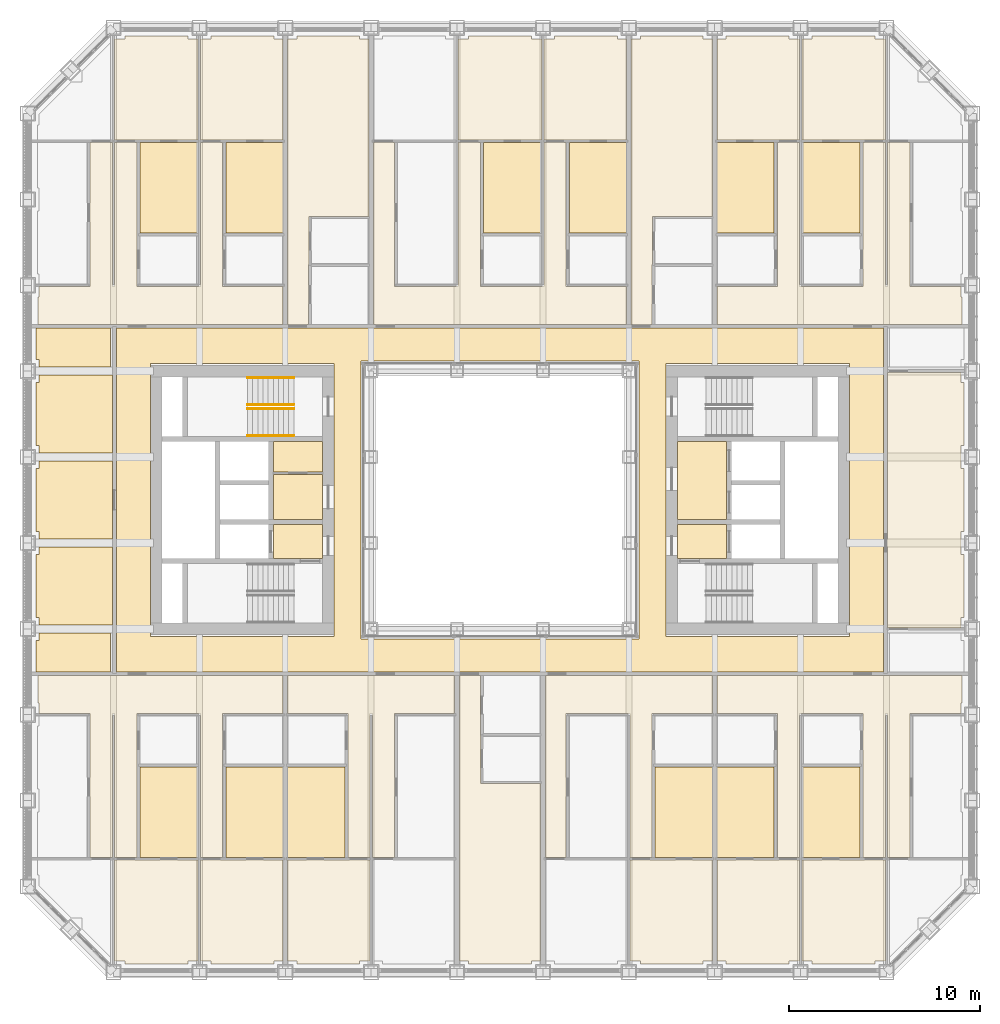
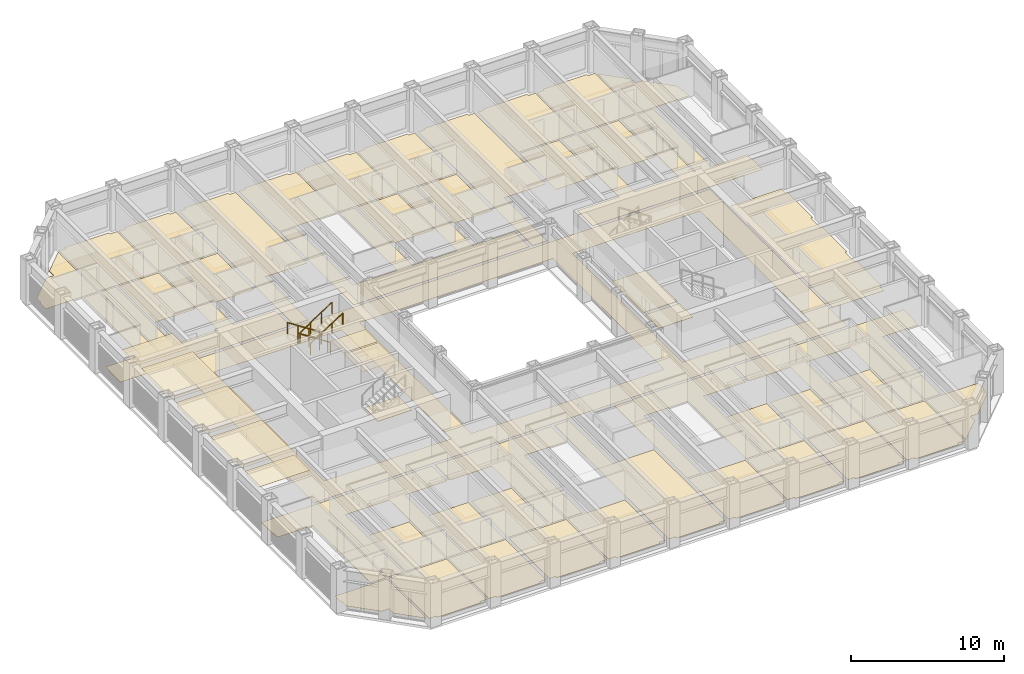
# One storey, part 17 of 20: 4 coverings, 4 railings.
"""IFC4 building model written with IfcOpenShell, lengths in metres."""

from ifc_helpers import new_model, si_unit, direction, frame, origin, origin_2d, place, context, subcontext, project, spatial, line, indexed_curve, circle, outline, extrude, material, layer, layer_set, type_object, element, save


model = new_model("IFC4")

# Units and contexts
model_context = context("Model", 3, precision=1e-05, world=origin(), true_north=direction((0.0, 1.0)))
body_context = subcontext(model_context, "Body", "Model", "MODEL_VIEW")
ifc_project = project(units=[si_unit("LENGTHUNIT", "METRE"), si_unit("AREAUNIT", "SQUARE_METRE"), si_unit("VOLUMEUNIT", "CUBIC_METRE"), si_unit("PLANEANGLEUNIT", "RADIAN"), si_unit("MASSUNIT", "GRAM", prefix="KILO")], contexts=[model_context])

# Site, building, storey
site_placement = place(None, origin())
site = spatial("IfcSite", under=ifc_project, at=site_placement, CompositionType="ELEMENT")
building_placement = place(site_placement, origin())
building = spatial("IfcBuilding", under=site, at=building_placement, Name="Msasa Ring Tower", CompositionType="ELEMENT")
storey_placement = place(building_placement, frame((0.0, 0.0, 58.0)))
storey = spatial("IfcBuildingStorey", under=building, at=storey_placement, Name="L14", CompositionType="ELEMENT", Elevation=58.0)

# Coverings
ifc_material_1 = material(Name="Mineral fibre ceiling tiles on an exposed steel grid", Category="steel")
ifc_layer_1 = layer(ifc_material_1, 0.02001953125)
ifc_layer_set_1 = layer_set([ifc_layer_1], Name="C3 ACOUSTIC MINERAL FIBRE TILE CEILING 20")
covering_type_1 = type_object("IfcCoveringType", Name="C3 ACOUSTIC MINERAL FIBRE TILE CEILING 20", PredefinedType="CEILING", material=ifc_layer_set_1)
covering_1_placement = place(storey_placement, frame((0.0, 0.0, 2.699951171875)))
element("IfcCovering", 1, at=covering_1_placement, inside=storey, type_object=covering_type_1, Name="Acoustic Mineral Fibre Tile Ceiling 20 L14", PredefinedType="CEILING", context=body_context, shape_type="SweptSolid", body=[
    extrude(outline(indexed_curve([(-24.299560546875, -8.99951171875), (-24.299560546875, -7.3505859375), (-24.1494140625, -7.3505859375), (-24.1494140625, -6.960693359375), (-20.404296875, -6.960693359375), (-20.404296875, -8.99951171875)], segments=[line(1, 2, 3, 4, 5, 6, 1)], self_intersect=False)), origin(), (0.0, 0.0, 1.0), 0.02001953125),
    extrude(outline(indexed_curve([(-24.299560546875, -2.8505859375), (-24.1494140625, -2.8505859375), (-24.1494140625, -2.460693359375), (-20.300537109375, -2.460693359375), (-20.300537109375, -6.539306640625), (-24.1494140625, -6.539306640625), (-24.1494140625, -6.1494140625), (-24.299560546875, -6.1494140625)], segments=[line(1, 2, 3, 4, 5, 6, 7, 8, 1)], self_intersect=False)), origin(), (0.0, 0.0, 1.0), 0.02001953125),
    extrude(outline(indexed_curve([(-24.299560546875, 1.6494140625), (-24.1494140625, 1.6494140625), (-24.1494140625, 2.039306640625), (-20.300537109375, 2.039306640625), (-20.300537109375, -2.039306640625), (-24.1494140625, -2.039306640625), (-24.1494140625, -1.6494140625), (-24.299560546875, -1.6494140625)], segments=[line(1, 2, 3, 4, 5, 6, 7, 8, 1)], self_intersect=False)), origin(), (0.0, 0.0, 1.0), 0.02001953125),
    extrude(outline(indexed_curve([(-24.299560546875, 6.1494140625), (-24.1494140625, 6.1494140625), (-24.1494140625, 6.539306640625), (-20.300537109375, 6.539306640625), (-20.300537109375, 2.460693359375), (-24.1494140625, 2.460693359375), (-24.1494140625, 2.8505859375), (-24.299560546875, 2.8505859375)], segments=[line(1, 2, 3, 4, 5, 6, 7, 8, 1)], self_intersect=False)), origin(), (0.0, 0.0, 1.0), 0.02001953125),
    extrude(outline(indexed_curve([(-24.299560546875, 8.99951171875), (-20.404296875, 8.99951171875), (-20.404296875, 6.960693359375), (-24.1494140625, 6.960693359375), (-24.1494140625, 7.3505859375), (-24.299560546875, 7.3505859375)], segments=[line(1, 2, 3, 4, 5, 6, 1)], self_intersect=False)), origin(), (0.0, 0.0, 1.0), 0.02001953125),
    extrude(outline(indexed_curve([(-9.300537109375, -1.0244140625), (-11.87451171875, -1.0244140625), (-11.87451171875, 1.344482421875), (-9.300537109375, 1.344482421875)], segments=[line(1, 2, 3, 4, 1)], self_intersect=False)), origin(), (0.0, 0.0, 1.0), 0.02001953125),
    extrude(outline(indexed_curve([(-9.300537109375, 1.45556640625), (-11.87451171875, 1.45556640625), (-11.87451171875, 3.074462890625), (-9.300537109375, 3.074462890625)], segments=[line(1, 2, 3, 4, 1)], self_intersect=False)), origin(), (0.0, 0.0, 1.0), 0.02001953125),
])
ifc_material_2 = material(Name="Honed granite tiles on a mortar bed", Category="masonry")
ifc_layer_2 = layer(ifc_material_2, 0.030029296875)
ifc_layer_set_2 = layer_set([ifc_layer_2], Name="F1 HONED GRANITE ON BEDDING 30")
covering_type_2 = type_object("IfcCoveringType", Name="F1 HONED GRANITE ON BEDDING 30", PredefinedType="FLOORING", material=ifc_layer_set_2)
covering_2_placement = place(storey_placement, origin())
element("IfcCovering", 2, at=covering_2_placement, inside=storey, type_object=covering_type_2, Name="Honed Granite On Bedding 30 L14", PredefinedType="FLOORING", context=body_context, shape_type="SweptSolid", body=[
    extrude(outline(indexed_curve([(-9.300537109375, -3.074462890625), (-11.87451171875, -3.074462890625), (-11.87451171875, -1.275390625), (-9.300537109375, -1.275390625)], segments=[line(1, 2, 3, 4, 1)], self_intersect=False)), origin(), (0.0, 0.0, 1.0), 0.030029296875),
    extrude(outline(indexed_curve([(9.300537109375, -3.074462890625), (9.300537109375, -1.275390625), (11.87451171875, -1.275390625), (11.87451171875, -3.074462890625)], segments=[line(1, 2, 3, 4, 1)], self_intersect=False)), origin(), (0.0, 0.0, 1.0), 0.030029296875),
    extrude(outline(indexed_curve([(9.300537109375, -1.0244140625), (9.300537109375, 3.074462890625), (11.87451171875, 3.074462890625), (11.87451171875, -1.0244140625)], segments=[line(1, 2, 3, 4, 1)], self_intersect=False)), origin(), (0.0, 0.0, 1.0), 0.030029296875),
])
ifc_material_3 = material(Name="Wool-blend carpet on felt underlay", Category="textile")
ifc_layer_3 = layer(ifc_material_3, 0.011962890625)
ifc_layer_set_3 = layer_set([ifc_layer_3], Name="F2 CARPET ON UNDERLAY 12")
covering_type_3 = type_object("IfcCoveringType", Name="F2 CARPET ON UNDERLAY 12", PredefinedType="FLOORING", material=ifc_layer_set_3)
covering_3_placement = place(storey_placement, origin())
element("IfcCovering", 3, at=covering_3_placement, inside=storey, type_object=covering_type_3, Name="Carpet On Underlay 12 L14", PredefinedType="FLOORING", context=body_context, shape_type="SweptSolid", body=[
    extrude(outline(indexed_curve([(-20.310546875, -24.052490234375), (-21.8994140625, -22.46337890625), (-21.8994140625, -21.8994140625), (-22.46337890625, -21.8994140625), (-24.1494140625, -20.21337890625), (-24.1494140625, -19.6494140625), (-24.239501953125, -19.6494140625), (-24.239501953125, -18.85546875), (-20.310546875, -18.85546875)], segments=[line(1, 2, 3, 4, 5, 6, 7, 8, 9, 1)], self_intersect=False)), origin(), (0.0, 0.0, 1.0), 0.011962890625),
    extrude(outline(indexed_curve([(-22.46337890625, 21.8994140625), (-21.8994140625, 21.8994140625), (-21.8994140625, 22.46337890625), (-20.310546875, 24.052490234375), (-20.310546875, 18.85546875), (-24.239501953125, 18.85546875), (-24.239501953125, 19.6494140625), (-24.1494140625, 19.6494140625), (-24.1494140625, 20.21337890625)], segments=[line(1, 2, 3, 4, 5, 6, 7, 8, 9, 1)], self_intersect=False)), origin(), (0.0, 0.0, 1.0), 0.011962890625),
    extrude(outline(indexed_curve([(-20.099609375, -8.99951171875), (-20.099609375, 8.99951171875), (20.099609375, 8.99951171875), (20.099609375, -8.99951171875)], segments=[line(1, 2, 3, 4, 1)], self_intersect=False), holes=[indexed_curve([(18.300537109375, -7.150390625), (18.300537109375, 7.150390625), (8.699462890625, 7.150390625), (8.699462890625, -7.150390625)], segments=[line(1, 2, 3, 4, 1)], self_intersect=False), indexed_curve([(-18.300537109375, 7.150390625), (-18.300537109375, -7.150390625), (-8.699462890625, -7.150390625), (-8.699462890625, 7.150390625)], segments=[line(1, 2, 3, 4, 1)], self_intersect=False), indexed_curve([(-7.275390625, 7.275390625), (-7.275390625, -7.275390625), (7.275390625, -7.275390625), (7.275390625, 7.275390625), (-7.22998046875, 7.280029296875)], segments=[line(1, 2, 3, 4, 5, 1)], self_intersect=False)]), origin(), (0.0, 0.0, 1.0), 0.011962890625),
    extrude(outline(indexed_curve([(-15.810546875, -13.98046875), (-15.810546875, -18.744384765625), (-18.869384765625, -18.744384765625), (-18.869384765625, -13.98046875)], segments=[line(1, 2, 3, 4, 1)], self_intersect=False)), origin(), (0.0, 0.0, 1.0), 0.011962890625),
    extrude(outline(indexed_curve([(-15.810546875, 18.744384765625), (-15.810546875, 13.98046875), (-18.869384765625, 13.98046875), (-18.869384765625, 18.744384765625)], segments=[line(1, 2, 3, 4, 1)], self_intersect=False)), origin(), (0.0, 0.0, 1.0), 0.011962890625),
    extrude(outline(indexed_curve([(-14.369384765625, -18.744384765625), (-14.369384765625, -13.98046875), (-11.37548828125, -13.98046875), (-11.37548828125, -18.744384765625)], segments=[line(1, 2, 3, 4, 1)], self_intersect=False)), origin(), (0.0, 0.0, 1.0), 0.011962890625),
    extrude(outline(indexed_curve([(-11.37548828125, 18.744384765625), (-11.37548828125, 13.98046875), (-14.369384765625, 13.98046875), (-14.369384765625, 18.744384765625)], segments=[line(1, 2, 3, 4, 1)], self_intersect=False)), origin(), (0.0, 0.0, 1.0), 0.011962890625),
    extrude(outline(indexed_curve([(-8.130615234375, -18.744384765625), (-11.12451171875, -18.744384765625), (-11.12451171875, -13.98046875), (-8.130615234375, -13.98046875)], segments=[line(1, 2, 3, 4, 1)], self_intersect=False)), origin(), (0.0, 0.0, 1.0), 0.011962890625),
    extrude(outline(indexed_curve([(-6.1494140625, -24.299560546875), (-6.1494140625, -24.1494140625), (-6.689453125, -24.1494140625), (-6.689453125, -18.85546875), (-2.37548828125, -18.85546875), (-2.37548828125, -24.1494140625), (-2.8505859375, -24.1494140625), (-2.8505859375, -24.299560546875)], segments=[line(1, 2, 3, 4, 5, 6, 7, 8, 1)], self_intersect=False)), origin(), (0.0, 0.0, 1.0), 0.011962890625),
    extrude(outline(indexed_curve([(-2.8505859375, 24.299560546875), (-2.8505859375, 24.1494140625), (-2.310546875, 24.1494140625), (-2.310546875, 18.85546875), (-6.62451171875, 18.85546875), (-6.62451171875, 24.1494140625), (-6.1494140625, 24.1494140625), (-6.1494140625, 24.299560546875)], segments=[line(1, 2, 3, 4, 5, 6, 7, 8, 1)], self_intersect=False)), origin(), (0.0, 0.0, 1.0), 0.011962890625),
    extrude(outline(indexed_curve([(2.189453125, 18.744384765625), (2.189453125, 13.98046875), (-0.869384765625, 13.98046875), (-0.869384765625, 18.744384765625)], segments=[line(1, 2, 3, 4, 1)], self_intersect=False)), origin(), (0.0, 0.0, 1.0), 0.011962890625),
    extrude(outline(indexed_curve([(6.689453125, -24.1494140625), (6.1494140625, -24.1494140625), (6.1494140625, -24.299560546875), (2.8505859375, -24.299560546875), (2.8505859375, -24.1494140625), (2.37548828125, -24.1494140625), (2.37548828125, -18.85546875), (6.689453125, -18.85546875)], segments=[line(1, 2, 3, 4, 5, 6, 7, 8, 1)], self_intersect=False)), origin(), (0.0, 0.0, 1.0), 0.011962890625),
    extrude(outline(indexed_curve([(6.62451171875, 18.744384765625), (6.62451171875, 13.98046875), (3.630615234375, 13.98046875), (3.630615234375, 18.744384765625)], segments=[line(1, 2, 3, 4, 1)], self_intersect=False)), origin(), (0.0, 0.0, 1.0), 0.011962890625),
    extrude(outline(indexed_curve([(11.12451171875, -13.98046875), (11.12451171875, -18.744384765625), (8.130615234375, -18.744384765625), (8.130615234375, -13.98046875)], segments=[line(1, 2, 3, 4, 1)], self_intersect=False)), origin(), (0.0, 0.0, 1.0), 0.011962890625),
    extrude(outline(indexed_curve([(14.369384765625, -18.744384765625), (11.37548828125, -18.744384765625), (11.37548828125, -13.98046875), (14.369384765625, -13.98046875)], segments=[line(1, 2, 3, 4, 1)], self_intersect=False)), origin(), (0.0, 0.0, 1.0), 0.011962890625),
    extrude(outline(indexed_curve([(14.369384765625, 18.744384765625), (14.369384765625, 13.98046875), (11.37548828125, 13.98046875), (11.37548828125, 18.744384765625)], segments=[line(1, 2, 3, 4, 1)], self_intersect=False)), origin(), (0.0, 0.0, 1.0), 0.011962890625),
    extrude(outline(indexed_curve([(18.869384765625, -18.744384765625), (15.810546875, -18.744384765625), (15.810546875, -13.98046875), (18.869384765625, -13.98046875)], segments=[line(1, 2, 3, 4, 1)], self_intersect=False)), origin(), (0.0, 0.0, 1.0), 0.011962890625),
    extrude(outline(indexed_curve([(18.869384765625, 13.98046875), (15.810546875, 13.98046875), (15.810546875, 18.744384765625), (18.869384765625, 18.744384765625)], segments=[line(1, 2, 3, 4, 1)], self_intersect=False)), origin(), (0.0, 0.0, 1.0), 0.011962890625),
    extrude(outline(indexed_curve([(24.239501953125, -19.6494140625), (24.1494140625, -19.6494140625), (24.1494140625, -20.21337890625), (22.46337890625, -21.8994140625), (21.8994140625, -21.8994140625), (21.8994140625, -22.46337890625), (20.310546875, -24.052490234375), (20.310546875, -18.85546875), (24.239501953125, -18.85546875)], segments=[line(1, 2, 3, 4, 5, 6, 7, 8, 9, 1)], self_intersect=False)), origin(), (0.0, 0.0, 1.0), 0.011962890625),
    extrude(outline(indexed_curve([(21.8994140625, 22.46337890625), (21.8994140625, 21.8994140625), (22.46337890625, 21.8994140625), (24.1494140625, 20.21337890625), (24.1494140625, 19.6494140625), (24.239501953125, 19.6494140625), (24.239501953125, 18.85546875), (20.310546875, 18.85546875), (20.310546875, 24.052490234375)], segments=[line(1, 2, 3, 4, 5, 6, 7, 8, 9, 1)], self_intersect=False)), origin(), (0.0, 0.0, 1.0), 0.011962890625),
])
ifc_material_4 = material(Name="Engineered oak boards on an acoustic underlay", Category="wood")
ifc_layer_4 = layer(ifc_material_4, 0.01806640625)
ifc_layer_set_4 = layer_set([ifc_layer_4], Name="F3 ENGINEERED TIMBER ON ACOUSTIC UNDERLAY 18")
covering_type_4 = type_object("IfcCoveringType", Name="F3 ENGINEERED TIMBER ON ACOUSTIC UNDERLAY 18", PredefinedType="FLOORING", material=ifc_layer_set_4)
covering_4_placement = place(storey_placement, origin())
element("IfcCovering", 4, at=covering_4_placement, inside=storey, type_object=covering_type_4, Name="Engineered Timber On Acoustic Underlay 18 L14", PredefinedType="FLOORING", context=body_context, shape_type="SweptSolid", body=[
    extrude(outline(indexed_curve([(-20.189453125, -18.744384765625), (-20.189453125, -11.199462890625), (-20.310546875, -11.199462890625), (-20.310546875, -18.744384765625), (-21.469482421875, -18.744384765625), (-21.469482421875, -11.199462890625), (-24.1494140625, -11.199462890625), (-24.1494140625, -10.6494140625), (-24.199462890625, -10.6494140625), (-24.199462890625, -9.200439453125), (-11.37548828125, -9.200439453125), (-11.37548828125, -11.199462890625), (-14.530517578125, -11.199462890625), (-14.530517578125, -18.744384765625), (-15.689453125, -18.744384765625), (-15.689453125, -11.199462890625), (-19.030517578125, -11.199462890625), (-19.030517578125, -18.744384765625)], segments=[line(1, 2, 3, 4, 5, 6, 7, 8, 9, 10, 11, 12, 13, 14, 15, 16, 17, 18, 1)], self_intersect=False)), origin(), (0.0, 0.0, 1.0), 0.01806640625),
    extrude(outline(indexed_curve([(-19.030517578125, 18.744384765625), (-19.030517578125, 11.199462890625), (-15.689453125, 11.199462890625), (-15.689453125, 18.744384765625), (-14.530517578125, 18.744384765625), (-14.530517578125, 11.199462890625), (-11.37548828125, 11.199462890625), (-11.37548828125, 9.200439453125), (-24.199462890625, 9.200439453125), (-24.199462890625, 10.6494140625), (-24.1494140625, 10.6494140625), (-24.1494140625, 11.199462890625), (-21.469482421875, 11.199462890625), (-21.469482421875, 18.744384765625), (-20.310546875, 18.744384765625), (-20.310546875, 11.199462890625), (-20.189453125, 11.199462890625), (-20.189453125, 18.744384765625)], segments=[line(1, 2, 3, 4, 5, 6, 7, 8, 9, 10, 11, 12, 13, 14, 15, 16, 17, 18, 1)], self_intersect=False)), origin(), (0.0, 0.0, 1.0), 0.01806640625),
    extrude(outline(indexed_curve([(-15.810546875, -18.85546875), (-15.810546875, -24.1494140625), (-16.3505859375, -24.1494140625), (-16.3505859375, -24.299560546875), (-19.6494140625, -24.299560546875), (-19.6494140625, -24.1494140625), (-20.189453125, -24.1494140625), (-20.189453125, -18.85546875)], segments=[line(1, 2, 3, 4, 5, 6, 7, 8, 1)], self_intersect=False)), origin(), (0.0, 0.0, 1.0), 0.01806640625),
    extrude(outline(indexed_curve([(-20.189453125, 24.1494140625), (-19.6494140625, 24.1494140625), (-19.6494140625, 24.299560546875), (-16.3505859375, 24.299560546875), (-16.3505859375, 24.1494140625), (-15.810546875, 24.1494140625), (-15.810546875, 18.85546875), (-20.189453125, 18.85546875)], segments=[line(1, 2, 3, 4, 5, 6, 7, 8, 1)], self_intersect=False)), origin(), (0.0, 0.0, 1.0), 0.01806640625),
    extrude(outline(indexed_curve([(-15.1494140625, -24.299560546875), (-15.1494140625, -24.1494140625), (-15.689453125, -24.1494140625), (-15.689453125, -18.85546875), (-11.37548828125, -18.85546875), (-11.37548828125, -24.1494140625), (-11.8505859375, -24.1494140625), (-11.8505859375, -24.299560546875)], segments=[line(1, 2, 3, 4, 5, 6, 7, 8, 1)], self_intersect=False)), origin(), (0.0, 0.0, 1.0), 0.01806640625),
    extrude(outline(indexed_curve([(-11.8505859375, 24.299560546875), (-11.8505859375, 24.1494140625), (-11.37548828125, 24.1494140625), (-11.37548828125, 18.85546875), (-15.689453125, 18.85546875), (-15.689453125, 24.1494140625), (-15.1494140625, 24.1494140625), (-15.1494140625, 24.299560546875)], segments=[line(1, 2, 3, 4, 5, 6, 7, 8, 1)], self_intersect=False)), origin(), (0.0, 0.0, 1.0), 0.01806640625),
    extrude(outline(indexed_curve([(-6.810546875, -24.1494140625), (-7.3505859375, -24.1494140625), (-7.3505859375, -24.299560546875), (-10.6494140625, -24.299560546875), (-10.6494140625, -24.1494140625), (-11.12451171875, -24.1494140625), (-11.12451171875, -18.85546875), (-6.810546875, -18.85546875)], segments=[line(1, 2, 3, 4, 5, 6, 7, 8, 1)], self_intersect=False)), origin(), (0.0, 0.0, 1.0), 0.01806640625),
    extrude(outline(indexed_curve([(-6.810546875, -11.199462890625), (-6.810546875, -18.744384765625), (-7.969482421875, -18.744384765625), (-7.969482421875, -11.199462890625), (-11.12451171875, -11.199462890625), (-11.12451171875, -9.200439453125), (-2.37548828125, -9.200439453125), (-2.37548828125, -11.199462890625), (-5.530517578125, -11.199462890625), (-5.530517578125, -18.744384765625), (-6.689453125, -18.744384765625), (-6.689453125, -11.199462890625)], segments=[line(1, 2, 3, 4, 5, 6, 7, 8, 9, 10, 11, 12, 1)], self_intersect=False)), origin(), (0.0, 0.0, 1.0), 0.01806640625),
    extrude(outline(indexed_curve([(-7.3505859375, 24.299560546875), (-7.3505859375, 24.1494140625), (-6.87548828125, 24.1494140625), (-6.87548828125, 14.8505859375), (-10.00048828125, 14.8505859375), (-10.00048828125, 12.35009765625), (-10.025390625, 12.35009765625), (-10.025390625, 9.200439453125), (-11.12451171875, 9.200439453125), (-11.12451171875, 24.1494140625), (-10.6494140625, 24.1494140625), (-10.6494140625, 24.299560546875)], segments=[line(1, 2, 3, 4, 5, 6, 7, 8, 9, 10, 11, 12, 1)], self_intersect=False)), origin(), (0.0, 0.0, 1.0), 0.01806640625),
    extrude(outline(indexed_curve([(-1.030517578125, 18.744384765625), (-1.030517578125, 11.199462890625), (2.310546875, 11.199462890625), (2.310546875, 18.744384765625), (3.469482421875, 18.744384765625), (3.469482421875, 11.199462890625), (6.62451171875, 11.199462890625), (6.62451171875, 9.200439453125), (-6.62451171875, 9.200439453125), (-6.62451171875, 18.744384765625), (-5.530517578125, 18.744384765625), (-5.530517578125, 11.199462890625), (-2.189453125, 11.199462890625), (-2.189453125, 18.744384765625)], segments=[line(1, 2, 3, 4, 5, 6, 7, 8, 9, 10, 11, 12, 13, 14, 1)], self_intersect=False)), origin(), (0.0, 0.0, 1.0), 0.01806640625),
    extrude(outline(indexed_curve([(-2.189453125, 24.1494140625), (-1.6494140625, 24.1494140625), (-1.6494140625, 24.299560546875), (1.6494140625, 24.299560546875), (1.6494140625, 24.1494140625), (2.189453125, 24.1494140625), (2.189453125, 18.85546875), (-2.189453125, 18.85546875)], segments=[line(1, 2, 3, 4, 5, 6, 7, 8, 1)], self_intersect=False)), origin(), (0.0, 0.0, 1.0), 0.01806640625),
    extrude(outline(indexed_curve([(-1.025390625, -9.200439453125), (-1.025390625, -12.35009765625), (-1.00048828125, -12.35009765625), (-1.00048828125, -14.8505859375), (2.12451171875, -14.8505859375), (2.12451171875, -24.1494140625), (1.6494140625, -24.1494140625), (1.6494140625, -24.299560546875), (-1.6494140625, -24.299560546875), (-1.6494140625, -24.1494140625), (-2.12451171875, -24.1494140625), (-2.12451171875, -9.200439453125)], segments=[line(1, 2, 3, 4, 5, 6, 7, 8, 9, 10, 11, 12, 1)], self_intersect=False)), origin(), (0.0, 0.0, 1.0), 0.01806640625),
    extrude(outline(indexed_curve([(2.310546875, 24.1494140625), (2.8505859375, 24.1494140625), (2.8505859375, 24.299560546875), (6.1494140625, 24.299560546875), (6.1494140625, 24.1494140625), (6.62451171875, 24.1494140625), (6.62451171875, 18.85546875), (2.310546875, 18.85546875)], segments=[line(1, 2, 3, 4, 5, 6, 7, 8, 1)], self_intersect=False)), origin(), (0.0, 0.0, 1.0), 0.01806640625),
    extrude(outline(indexed_curve([(2.37548828125, -18.744384765625), (2.37548828125, -9.200439453125), (11.12451171875, -9.200439453125), (11.12451171875, -11.199462890625), (7.969482421875, -11.199462890625), (7.969482421875, -18.744384765625), (6.810546875, -18.744384765625), (6.810546875, -11.199462890625), (3.469482421875, -11.199462890625), (3.469482421875, -18.744384765625)], segments=[line(1, 2, 3, 4, 5, 6, 7, 8, 9, 10, 1)], self_intersect=False)), origin(), (0.0, 0.0, 1.0), 0.01806640625),
    extrude(outline(indexed_curve([(7.3505859375, -24.299560546875), (7.3505859375, -24.1494140625), (6.810546875, -24.1494140625), (6.810546875, -18.85546875), (11.12451171875, -18.85546875), (11.12451171875, -24.1494140625), (10.6494140625, -24.1494140625), (10.6494140625, -24.299560546875)], segments=[line(1, 2, 3, 4, 5, 6, 7, 8, 1)], self_intersect=False)), origin(), (0.0, 0.0, 1.0), 0.01806640625),
    extrude(outline(indexed_curve([(10.6494140625, 24.299560546875), (10.6494140625, 24.1494140625), (11.12451171875, 24.1494140625), (11.12451171875, 14.8505859375), (7.99951171875, 14.8505859375), (7.99951171875, 12.35009765625), (7.974609375, 12.35009765625), (7.974609375, 9.200439453125), (6.87548828125, 9.200439453125), (6.87548828125, 24.1494140625), (7.3505859375, 24.1494140625), (7.3505859375, 24.299560546875)], segments=[line(1, 2, 3, 4, 5, 6, 7, 8, 9, 10, 11, 12, 1)], self_intersect=False)), origin(), (0.0, 0.0, 1.0), 0.01806640625),
    extrude(outline(indexed_curve([(11.8505859375, -24.299560546875), (11.8505859375, -24.1494140625), (11.37548828125, -24.1494140625), (11.37548828125, -18.85546875), (15.689453125, -18.85546875), (15.689453125, -24.1494140625), (15.1494140625, -24.1494140625), (15.1494140625, -24.299560546875)], segments=[line(1, 2, 3, 4, 5, 6, 7, 8, 1)], self_intersect=False)), origin(), (0.0, 0.0, 1.0), 0.01806640625),
    extrude(outline(indexed_curve([(19.030517578125, -18.744384765625), (19.030517578125, -11.199462890625), (15.689453125, -11.199462890625), (15.689453125, -18.744384765625), (14.530517578125, -18.744384765625), (14.530517578125, -11.199462890625), (11.37548828125, -11.199462890625), (11.37548828125, -9.200439453125), (24.199462890625, -9.200439453125), (24.199462890625, -10.6494140625), (24.1494140625, -10.6494140625), (24.1494140625, -11.199462890625), (21.469482421875, -11.199462890625), (21.469482421875, -18.744384765625), (20.310546875, -18.744384765625), (20.310546875, -11.199462890625), (20.189453125, -11.199462890625), (20.189453125, -18.744384765625)], segments=[line(1, 2, 3, 4, 5, 6, 7, 8, 9, 10, 11, 12, 13, 14, 15, 16, 17, 18, 1)], self_intersect=False)), origin(), (0.0, 0.0, 1.0), 0.01806640625),
    extrude(outline(indexed_curve([(20.189453125, 18.744384765625), (20.189453125, 11.199462890625), (20.310546875, 11.199462890625), (20.310546875, 18.744384765625), (21.469482421875, 18.744384765625), (21.469482421875, 11.199462890625), (24.1494140625, 11.199462890625), (24.1494140625, 10.6494140625), (24.199462890625, 10.6494140625), (24.199462890625, 9.200439453125), (11.37548828125, 9.200439453125), (11.37548828125, 11.199462890625), (14.530517578125, 11.199462890625), (14.530517578125, 18.744384765625), (15.689453125, 18.744384765625), (15.689453125, 11.199462890625), (19.030517578125, 11.199462890625), (19.030517578125, 18.744384765625)], segments=[line(1, 2, 3, 4, 5, 6, 7, 8, 9, 10, 11, 12, 13, 14, 15, 16, 17, 18, 1)], self_intersect=False)), origin(), (0.0, 0.0, 1.0), 0.01806640625),
    extrude(outline(indexed_curve([(15.1494140625, 24.299560546875), (15.1494140625, 24.1494140625), (15.689453125, 24.1494140625), (15.689453125, 18.85546875), (11.37548828125, 18.85546875), (11.37548828125, 24.1494140625), (11.8505859375, 24.1494140625), (11.8505859375, 24.299560546875)], segments=[line(1, 2, 3, 4, 5, 6, 7, 8, 1)], self_intersect=False)), origin(), (0.0, 0.0, 1.0), 0.01806640625),
    extrude(outline(indexed_curve([(20.189453125, -18.85546875), (20.189453125, -24.1494140625), (19.6494140625, -24.1494140625), (19.6494140625, -24.299560546875), (16.3505859375, -24.299560546875), (16.3505859375, -24.1494140625), (15.810546875, -24.1494140625), (15.810546875, -18.85546875)], segments=[line(1, 2, 3, 4, 5, 6, 7, 8, 1)], self_intersect=False)), origin(), (0.0, 0.0, 1.0), 0.01806640625),
    extrude(outline(indexed_curve([(15.810546875, 24.1494140625), (16.3505859375, 24.1494140625), (16.3505859375, 24.299560546875), (19.6494140625, 24.299560546875), (19.6494140625, 24.1494140625), (20.189453125, 24.1494140625), (20.189453125, 18.85546875), (15.810546875, 18.85546875)], segments=[line(1, 2, 3, 4, 5, 6, 7, 8, 1)], self_intersect=False)), origin(), (0.0, 0.0, 1.0), 0.01806640625),
    extrude(outline(indexed_curve([(20.300537109375, 6.66943359375), (24.1494140625, 6.66943359375), (24.1494140625, 6.1494140625), (24.299560546875, 6.1494140625), (24.299560546875, 2.8505859375), (24.1494140625, 2.8505859375), (24.1494140625, 1.6494140625), (24.299560546875, 1.6494140625), (24.299560546875, -1.6494140625), (24.1494140625, -1.6494140625), (24.1494140625, -2.8505859375), (24.299560546875, -2.8505859375), (24.299560546875, -6.1494140625), (24.1494140625, -6.1494140625), (24.1494140625, -6.694580078125), (20.300537109375, -6.694580078125)], segments=[line(1, 2, 3, 4, 5, 6, 7, 8, 9, 10, 11, 12, 13, 14, 15, 16, 1)], self_intersect=False)), origin(), (0.0, 0.0, 1.0), 0.01806640625),
])

# Railings
ifc_material_5 = material(Name="Stainless steel", Category="steel")
railing_type = type_object("IfcRailingType", Name="HR1 HANDRAIL 900", PredefinedType="HANDRAIL", material=ifc_material_5)
for number, where, name in (
    (5, (-10.800048828125, 5.0, 0.175048828125), "Handrail stair SWB L14 1"),
    (6, (-10.800048828125, 6.39990234375, 0.175048828125), "Handrail stair SWB L14 2"),
):
    element("IfcRailing", number, at=place(storey_placement, frame(where)), inside=storey, type_object=railing_type, Name=name, PredefinedType="HANDRAIL", context=body_context, shape_type="SweptSolid", body=[
        extrude(circle(Radius=0.02392578125, at=origin_2d()), frame((0.0, 0.0, 0.8759765625), z_axis=(-0.839153699163, 0.0, 0.543894354798), x_axis=(0.0, -1.0, 0.0)), (0.0, 0.0, 1.0), 2.895751953125),
        extrude(circle(Radius=0.02099609375, at=origin_2d()), origin(), (0.0, 0.0, 1.0), 0.851806640625),
        extrude(circle(Radius=0.02099609375, at=origin_2d()), frame((-0.81005859375, 0.0, 0.52490234375)), (0.0, 0.0, 1.0), 0.851806640625),
        extrude(circle(Radius=0.02099609375, at=origin_2d()), frame((-1.619873046875, 0.0, 1.050048828125)), (0.0, 0.0, 1.0), 0.851806640625),
        extrude(circle(Radius=0.02099609375, at=origin_2d()), frame((-2.429931640625, 0.0, 1.574951171875)), (0.0, 0.0, 1.0), 0.851806640625),
    ])
for number, where, name in (
    (7, (-13.22998046875, 3.375, 1.925048828125), "Handrail stair SWB L14 3"),
    (8, (-13.22998046875, 4.77490234375, 1.925048828125), "Handrail stair SWB L14 4"),
):
    element("IfcRailing", number, at=place(storey_placement, frame(where)), inside=storey, type_object=railing_type, Name=name, PredefinedType="HANDRAIL", context=body_context, shape_type="SweptSolid", body=[
        extrude(circle(Radius=0.02392578125, at=origin_2d()), frame((0.0, 0.0, 0.8759765625), z_axis=(0.839153699163, 0.0, 0.543894354798), x_axis=(0.0, 1.0, 0.0)), (0.0, 0.0, 1.0), 2.895751953125),
        extrude(circle(Radius=0.02099609375, at=origin_2d()), origin(), (0.0, 0.0, 1.0), 0.851806640625),
        extrude(circle(Radius=0.02099609375, at=origin_2d()), frame((0.81005859375, 0.0, 0.52490234375)), (0.0, 0.0, 1.0), 0.851806640625),
        extrude(circle(Radius=0.02099609375, at=origin_2d()), frame((1.619873046875, 0.0, 1.050048828125)), (0.0, 0.0, 1.0), 0.851806640625),
        extrude(circle(Radius=0.02099609375, at=origin_2d()), frame((2.429931640625, 0.0, 1.574951171875)), (0.0, 0.0, 1.0), 0.851806640625),
    ])

save(model, "model.ifc")
